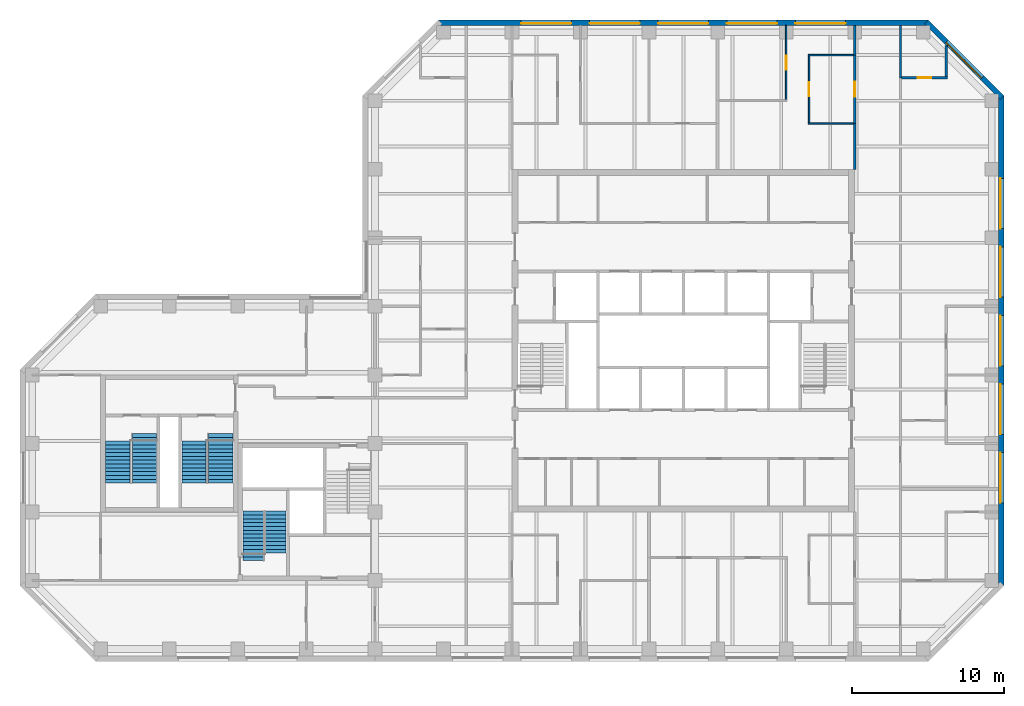
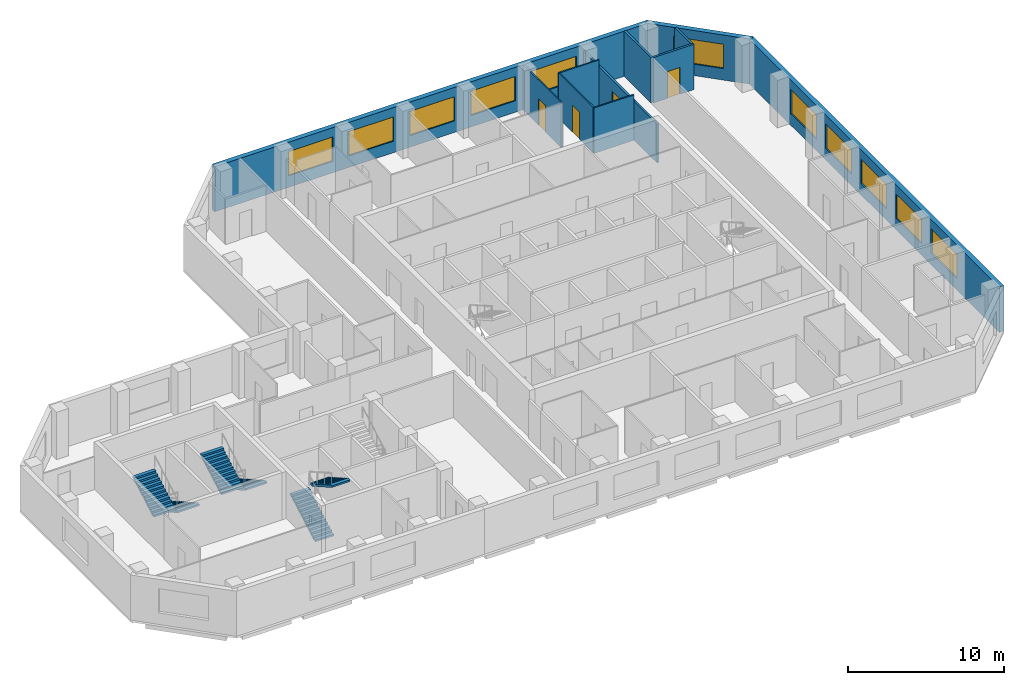
# One storey, part 8 of 10: 13 walls, 11 windows, 6 stair flights, 4 doors, 15 openings, 3 elements without a shape of their own.
"""IFC4 building model written with IfcOpenShell, lengths in metres."""

from ifc_helpers import new_model, si_unit, direction, frame, frame_2d, origin, place, context, subcontext, project, spatial, polyline, rectangle, outline, extrude, material, layer, layer_set, constituent, constituent_set, type_object, element, fill, aggregate, save


model = new_model("IFC4")

# Units and contexts
model_context = context("Model", 3, precision=1e-05, world=origin(), true_north=direction((0.0, 1.0)))
body_context = subcontext(model_context, "Body", "Model", "MODEL_VIEW")
ifc_project = project(units=[si_unit("LENGTHUNIT", "METRE"), si_unit("AREAUNIT", "SQUARE_METRE"), si_unit("VOLUMEUNIT", "CUBIC_METRE"), si_unit("PLANEANGLEUNIT", "RADIAN"), si_unit("MASSUNIT", "GRAM", prefix="KILO")], contexts=[model_context])

# Site, building, storey
site_placement = place(None, origin())
site = spatial("IfcSite", under=ifc_project, at=site_placement, CompositionType="ELEMENT")
building_placement = place(site_placement, origin())
building = spatial("IfcBuilding", under=site, at=building_placement, Name="Quoin Convention Tower", CompositionType="ELEMENT")
storey_placement = place(building_placement, frame((0.0, 0.0, 195.800048828125)))
storey = spatial("IfcBuildingStorey", under=building, at=storey_placement, Name="L51", CompositionType="ELEMENT", Elevation=195.800048828125)

# Wall, openings, windows
ifc_material_1 = material(Name="Brick masonry", Category="masonry")
ifc_layer_1 = layer(ifc_material_1, 0.35009765625)
ifc_layer_set_1 = layer_set([ifc_layer_1], Name="Brick masonry")
wall_type_1 = type_object("IfcWallType", Name="Brick facade wall", PredefinedType="STANDARD", material=ifc_layer_set_1)
wall_1_placement = place(storey_placement, frame((77.125, 44.668701171875, 0.0), z_axis=(0.0, 0.0, 1.0), x_axis=(0.0, 1.0, 0.0)))
wall_1 = element("IfcWall", 1, at=wall_1_placement, inside=storey, type_object=wall_type_1, Name="fw-L51-76500_45000", PredefinedType="STANDARD", context=body_context, shape_type="SweptSolid", body=[
    extrude(rectangle(XDim=32.16259765625, YDim=0.35009765625, at=frame_2d((16.081298828125, 0.0))), origin(), (0.0, 0.0, 1.0), 3.52490234375),
])
opening_1_placement = place(wall_1_placement, frame((5.431396484375, 0.0, 0.89990234375)))
opening_1 = element("IfcOpeningElement", 2, at=opening_1_placement, cuts=wall_1, Name="Opening W-02", PredefinedType="OPENING", context=body_context, shape_type="SweptSolid", body=[
    extrude(rectangle(XDim=3.300048828125, YDim=1.89990234375, at=frame_2d((1.64990234375, 0.949951171875))), frame((0.0, 0.18505859375, 0.0), z_axis=(0.0, -1.0, 0.0), x_axis=(1.0, 0.0, 0.0)), (0.0, 0.0, 1.0), 0.3701171875),
])
opening_2_placement = place(wall_1_placement, frame((9.931396484375, 0.0, 0.89990234375)))
opening_2 = element("IfcOpeningElement", 3, at=opening_2_placement, cuts=wall_1, Name="Opening W-02", PredefinedType="OPENING", context=body_context, shape_type="SweptSolid", body=[
    extrude(rectangle(XDim=3.300048828125, YDim=1.89990234375, at=frame_2d((1.64990234375, 0.949951171875))), frame((0.0, 0.18505859375, 0.0), z_axis=(0.0, -1.0, 0.0), x_axis=(1.0, 0.0, 0.0)), (0.0, 0.0, 1.0), 0.3701171875),
])
opening_3_placement = place(wall_1_placement, frame((14.431396484375, 0.0, 0.89990234375)))
opening_3 = element("IfcOpeningElement", 4, at=opening_3_placement, cuts=wall_1, Name="Opening W-02", PredefinedType="OPENING", context=body_context, shape_type="SweptSolid", body=[
    extrude(rectangle(XDim=3.300048828125, YDim=1.89990234375, at=frame_2d((1.64990234375, 0.949951171875))), frame((0.0, 0.18505859375, 0.0), z_axis=(0.0, -1.0, 0.0), x_axis=(1.0, 0.0, 0.0)), (0.0, 0.0, 1.0), 0.3701171875),
])
opening_4_placement = place(wall_1_placement, frame((18.931396484375, 0.0, 0.89990234375)))
opening_4 = element("IfcOpeningElement", 5, at=opening_4_placement, cuts=wall_1, Name="Opening W-02", PredefinedType="OPENING", context=body_context, shape_type="SweptSolid", body=[
    extrude(rectangle(XDim=3.300048828125, YDim=1.89990234375, at=frame_2d((1.64990234375, 0.949951171875))), frame((0.0, 0.18505859375, 0.0), z_axis=(0.0, -1.0, 0.0), x_axis=(1.0, 0.0, 0.0)), (0.0, 0.0, 1.0), 0.3701171875),
])
opening_5_placement = place(wall_1_placement, frame((23.431396484375, 0.0, 0.89990234375)))
opening_5 = element("IfcOpeningElement", 6, at=opening_5_placement, cuts=wall_1, Name="Opening W-02", PredefinedType="OPENING", context=body_context, shape_type="SweptSolid", body=[
    extrude(rectangle(XDim=3.300048828125, YDim=1.89990234375, at=frame_2d((1.64990234375, 0.949951171875))), frame((0.0, 0.18505859375, 0.0), z_axis=(0.0, -1.0, 0.0), x_axis=(1.0, 0.0, 0.0)), (0.0, 0.0, 1.0), 0.3701171875),
])
ifc_material_2 = material(Name="Aluminium", Category="aluminium")
ifc_constituent_1 = constituent(ifc_material_2, Name="Frame")
ifc_material_3 = material(Name="Insulated glass", Category="glass")
ifc_constituent_2 = constituent(ifc_material_3, Name="Glazing")
ifc_constituent_set = constituent_set(constituents=[ifc_constituent_1, ifc_constituent_2], Name="Aluminium")
window_type = type_object("IfcWindowType", Name="Office window", PartitioningType="DOUBLE_PANEL_VERTICAL", PredefinedType="WINDOW", material=ifc_constituent_set)
window_1_placement = place(opening_1_placement, origin())
window_1 = element("IfcWindow", 7, at=window_1_placement, inside=storey, type_object=window_type, Name="win-L51-77125_51750", OverallHeight=1.89990234375, OverallWidth=3.300048828125, PartitioningType="SINGLE_PANEL", PredefinedType="WINDOW", context=body_context, shape_type="SweptSolid", body=[
    extrude(rectangle(XDim=3.300048828125, YDim=1.89990234375, at=frame_2d((1.64990234375, 0.949951171875))), frame((0.0, 0.0849609375, 0.0), z_axis=(0.0, -1.0, 0.0), x_axis=(1.0, 0.0, 0.0)), (0.0, 0.0, 1.0), 0.06005859375),
])
fill(opening_1, window_1)
window_2_placement = place(opening_2_placement, origin())
window_2 = element("IfcWindow", 8, at=window_2_placement, inside=storey, type_object=window_type, Name="win-L51-77125_56250", OverallHeight=1.89990234375, OverallWidth=3.300048828125, PartitioningType="SINGLE_PANEL", PredefinedType="WINDOW", context=body_context, shape_type="SweptSolid", body=[
    extrude(rectangle(XDim=3.300048828125, YDim=1.89990234375, at=frame_2d((1.64990234375, 0.949951171875))), frame((0.0, 0.0849609375, 0.0), z_axis=(0.0, -1.0, 0.0), x_axis=(1.0, 0.0, 0.0)), (0.0, 0.0, 1.0), 0.06005859375),
])
fill(opening_2, window_2)
window_3_placement = place(opening_3_placement, origin())
window_3 = element("IfcWindow", 9, at=window_3_placement, inside=storey, type_object=window_type, Name="win-L51-77125_60750", OverallHeight=1.89990234375, OverallWidth=3.300048828125, PartitioningType="SINGLE_PANEL", PredefinedType="WINDOW", context=body_context, shape_type="SweptSolid", body=[
    extrude(rectangle(XDim=3.300048828125, YDim=1.89990234375, at=frame_2d((1.64990234375, 0.949951171875))), frame((0.0, 0.0849609375, 0.0), z_axis=(0.0, -1.0, 0.0), x_axis=(1.0, 0.0, 0.0)), (0.0, 0.0, 1.0), 0.06005859375),
])
fill(opening_3, window_3)
window_4_placement = place(opening_4_placement, origin())
window_4 = element("IfcWindow", 10, at=window_4_placement, inside=storey, type_object=window_type, Name="win-L51-77125_65250", OverallHeight=1.89990234375, OverallWidth=3.300048828125, PartitioningType="SINGLE_PANEL", PredefinedType="WINDOW", context=body_context, shape_type="SweptSolid", body=[
    extrude(rectangle(XDim=3.300048828125, YDim=1.89990234375, at=frame_2d((1.64990234375, 0.949951171875))), frame((0.0, 0.0849609375, 0.0), z_axis=(0.0, -1.0, 0.0), x_axis=(1.0, 0.0, 0.0)), (0.0, 0.0, 1.0), 0.06005859375),
])
fill(opening_4, window_4)
window_5_placement = place(opening_5_placement, origin())
window_5 = element("IfcWindow", 11, at=window_5_placement, inside=storey, type_object=window_type, Name="win-L51-77125_69750", OverallHeight=1.89990234375, OverallWidth=3.300048828125, PartitioningType="SINGLE_PANEL", PredefinedType="WINDOW", context=body_context, shape_type="SweptSolid", body=[
    extrude(rectangle(XDim=3.300048828125, YDim=1.89990234375, at=frame_2d((1.64990234375, 0.949951171875))), frame((0.0, 0.0849609375, 0.0), z_axis=(0.0, -1.0, 0.0), x_axis=(1.0, 0.0, 0.0)), (0.0, 0.0, 1.0), 0.06005859375),
])
fill(opening_5, window_5)

# Wall, opening, window
wall_2_placement = place(storey_placement, frame((77.17626953125, 76.70751953125, 0.0), z_axis=(0.0, 0.0, 1.0), x_axis=(-0.707106781187, 0.707106781187, 0.0)))
wall_2 = element("IfcWall", 12, at=wall_2_placement, inside=storey, type_object=wall_type_1, Name="fw-L51-76500_76500", PredefinedType="STANDARD", context=body_context, shape_type="SweptSolid", body=[
    extrude(rectangle(XDim=7.02685546875, YDim=0.35009765625, at=frame_2d((3.513427734375, 0.0))), origin(), (0.0, 0.0, 1.0), 3.52490234375),
])
opening_6_placement = place(wall_2_placement, frame((1.86328125, 0.0, 0.89990234375)))
opening_6 = element("IfcOpeningElement", 13, at=opening_6_placement, cuts=wall_2, Name="Opening W-02", PredefinedType="OPENING", context=body_context, shape_type="SweptSolid", body=[
    extrude(rectangle(XDim=3.300048828125, YDim=1.89990234375, at=frame_2d((1.64990234375, 0.949951171875))), frame((0.0, 0.18505859375, 0.0), z_axis=(0.0, -1.0, 0.0), x_axis=(1.0, 0.0, 0.0)), (0.0, 0.0, 1.0), 0.3701171875),
])
window_6_placement = place(opening_6_placement, origin())
window_6 = element("IfcWindow", 14, at=window_6_placement, inside=storey, type_object=window_type, Name="win-L51-74692_79192", OverallHeight=1.89990234375, OverallWidth=3.300048828125, PartitioningType="SINGLE_PANEL", PredefinedType="WINDOW", context=body_context, shape_type="SweptSolid", body=[
    extrude(rectangle(XDim=3.300048828125, YDim=1.89990234375, at=frame_2d((1.64990234375, 0.949951171875))), frame((0.0, 0.0849609375, 0.0), z_axis=(0.0, -1.0, 0.0), x_axis=(1.0, 0.0, 0.0)), (0.0, 0.0, 1.0), 0.06005859375),
])
fill(opening_6, window_6)

# Wall, openings, windows
wall_3_placement = place(storey_placement, frame((72.331298828125, 81.625, 0.0), z_axis=(0.0, 0.0, 1.0), x_axis=(-1.0, 0.0, 0.0)))
wall_3 = element("IfcWall", 15, at=wall_3_placement, inside=storey, type_object=wall_type_1, Name="fw-L51-72000_81000", PredefinedType="STANDARD", context=body_context, shape_type="SweptSolid", body=[
    extrude(rectangle(XDim=32.16259765625, YDim=0.35009765625, at=frame_2d((16.081298828125, 0.0))), origin(), (0.0, 0.0, 1.0), 3.52490234375),
])
opening_7_placement = place(wall_3_placement, frame((5.431396484375, 0.0, 0.89990234375)))
opening_7 = element("IfcOpeningElement", 16, at=opening_7_placement, cuts=wall_3, Name="Opening W-02", PredefinedType="OPENING", context=body_context, shape_type="SweptSolid", body=[
    extrude(rectangle(XDim=3.300048828125, YDim=1.89990234375, at=frame_2d((1.64990234375, 0.949951171875))), frame((0.0, 0.18505859375, 0.0), z_axis=(0.0, -1.0, 0.0), x_axis=(1.0, 0.0, 0.0)), (0.0, 0.0, 1.0), 0.3701171875),
])
opening_8_placement = place(wall_3_placement, frame((9.931396484375, 0.0, 0.89990234375)))
opening_8 = element("IfcOpeningElement", 17, at=opening_8_placement, cuts=wall_3, Name="Opening W-02", PredefinedType="OPENING", context=body_context, shape_type="SweptSolid", body=[
    extrude(rectangle(XDim=3.300048828125, YDim=1.89990234375, at=frame_2d((1.64990234375, 0.949951171875))), frame((0.0, 0.18505859375, 0.0), z_axis=(0.0, -1.0, 0.0), x_axis=(1.0, 0.0, 0.0)), (0.0, 0.0, 1.0), 0.3701171875),
])
opening_9_placement = place(wall_3_placement, frame((14.431396484375, 0.0, 0.89990234375)))
opening_9 = element("IfcOpeningElement", 18, at=opening_9_placement, cuts=wall_3, Name="Opening W-02", PredefinedType="OPENING", context=body_context, shape_type="SweptSolid", body=[
    extrude(rectangle(XDim=3.300048828125, YDim=1.89990234375, at=frame_2d((1.64990234375, 0.949951171875))), frame((0.0, 0.18505859375, 0.0), z_axis=(0.0, -1.0, 0.0), x_axis=(1.0, 0.0, 0.0)), (0.0, 0.0, 1.0), 0.3701171875),
])
opening_10_placement = place(wall_3_placement, frame((18.931396484375, 0.0, 0.89990234375)))
opening_10 = element("IfcOpeningElement", 19, at=opening_10_placement, cuts=wall_3, Name="Opening W-02", PredefinedType="OPENING", context=body_context, shape_type="SweptSolid", body=[
    extrude(rectangle(XDim=3.300048828125, YDim=1.89990234375, at=frame_2d((1.64990234375, 0.949951171875))), frame((0.0, 0.18505859375, 0.0), z_axis=(0.0, -1.0, 0.0), x_axis=(1.0, 0.0, 0.0)), (0.0, 0.0, 1.0), 0.3701171875),
])
opening_11_placement = place(wall_3_placement, frame((23.431396484375, 0.0, 0.89990234375)))
opening_11 = element("IfcOpeningElement", 20, at=opening_11_placement, cuts=wall_3, Name="Opening W-02", PredefinedType="OPENING", context=body_context, shape_type="SweptSolid", body=[
    extrude(rectangle(XDim=3.300048828125, YDim=1.89990234375, at=frame_2d((1.64990234375, 0.949951171875))), frame((0.0, 0.18505859375, 0.0), z_axis=(0.0, -1.0, 0.0), x_axis=(1.0, 0.0, 0.0)), (0.0, 0.0, 1.0), 0.3701171875),
])
window_7_placement = place(opening_7_placement, origin())
window_7 = element("IfcWindow", 21, at=window_7_placement, inside=storey, type_object=window_type, Name="win-L51-65250_81625", OverallHeight=1.89990234375, OverallWidth=3.300048828125, PartitioningType="SINGLE_PANEL", PredefinedType="WINDOW", context=body_context, shape_type="SweptSolid", body=[
    extrude(rectangle(XDim=3.300048828125, YDim=1.89990234375, at=frame_2d((1.64990234375, 0.949951171875))), frame((0.0, 0.0849609375, 0.0), z_axis=(0.0, -1.0, 0.0), x_axis=(1.0, 0.0, 0.0)), (0.0, 0.0, 1.0), 0.06005859375),
])
fill(opening_7, window_7)
window_8_placement = place(opening_8_placement, origin())
window_8 = element("IfcWindow", 22, at=window_8_placement, inside=storey, type_object=window_type, Name="win-L51-60750_81625", OverallHeight=1.89990234375, OverallWidth=3.300048828125, PartitioningType="SINGLE_PANEL", PredefinedType="WINDOW", context=body_context, shape_type="SweptSolid", body=[
    extrude(rectangle(XDim=3.300048828125, YDim=1.89990234375, at=frame_2d((1.64990234375, 0.949951171875))), frame((0.0, 0.0849609375, 0.0), z_axis=(0.0, -1.0, 0.0), x_axis=(1.0, 0.0, 0.0)), (0.0, 0.0, 1.0), 0.06005859375),
])
fill(opening_8, window_8)
window_9_placement = place(opening_9_placement, origin())
window_9 = element("IfcWindow", 23, at=window_9_placement, inside=storey, type_object=window_type, Name="win-L51-56250_81625", OverallHeight=1.89990234375, OverallWidth=3.300048828125, PartitioningType="SINGLE_PANEL", PredefinedType="WINDOW", context=body_context, shape_type="SweptSolid", body=[
    extrude(rectangle(XDim=3.300048828125, YDim=1.89990234375, at=frame_2d((1.64990234375, 0.949951171875))), frame((0.0, 0.0849609375, 0.0), z_axis=(0.0, -1.0, 0.0), x_axis=(1.0, 0.0, 0.0)), (0.0, 0.0, 1.0), 0.06005859375),
])
fill(opening_9, window_9)
window_10_placement = place(opening_10_placement, origin())
window_10 = element("IfcWindow", 24, at=window_10_placement, inside=storey, type_object=window_type, Name="win-L51-51750_81625", OverallHeight=1.89990234375, OverallWidth=3.300048828125, PartitioningType="SINGLE_PANEL", PredefinedType="WINDOW", context=body_context, shape_type="SweptSolid", body=[
    extrude(rectangle(XDim=3.300048828125, YDim=1.89990234375, at=frame_2d((1.64990234375, 0.949951171875))), frame((0.0, 0.0849609375, 0.0), z_axis=(0.0, -1.0, 0.0), x_axis=(1.0, 0.0, 0.0)), (0.0, 0.0, 1.0), 0.06005859375),
])
fill(opening_10, window_10)
window_11_placement = place(opening_11_placement, origin())
window_11 = element("IfcWindow", 25, at=window_11_placement, inside=storey, type_object=window_type, Name="win-L51-47250_81625", OverallHeight=1.89990234375, OverallWidth=3.300048828125, PartitioningType="SINGLE_PANEL", PredefinedType="WINDOW", context=body_context, shape_type="SweptSolid", body=[
    extrude(rectangle(XDim=3.300048828125, YDim=1.89990234375, at=frame_2d((1.64990234375, 0.949951171875))), frame((0.0, 0.0849609375, 0.0), z_axis=(0.0, -1.0, 0.0), x_axis=(1.0, 0.0, 0.0)), (0.0, 0.0, 1.0), 0.06005859375),
])
fill(opening_11, window_11)

# Walls
ifc_material_4 = material(Name="Plasterboard")
ifc_layer_2 = layer(ifc_material_4, 0.012451171875, Name="Finish")
ifc_material_5 = material(Name="Steel stud framing", Category="steel")
ifc_layer_3 = layer(ifc_material_5, 0.125, Name="Structure")
ifc_layer_4 = layer(ifc_material_4, 0.012451171875, Name="Finish")
ifc_layer_set_2 = layer_set([ifc_layer_2, ifc_layer_3, ifc_layer_4], Name="Steel stud framing")
wall_type_2 = type_object("IfcWallType", Name="Corridor wall 150", PredefinedType="PARTITIONING", material=ifc_layer_set_2)
wall_4_placement = place(storey_placement, frame((70.5, 78.0, 0.0), z_axis=(0.0, 0.0, 1.0), x_axis=(0.0, 1.0, 0.0)))
element("IfcWall", 26, at=wall_4_placement, inside=storey, type_object=wall_type_2, Name="pw-L51-090", PredefinedType="PARTITIONING", context=body_context, shape_type="SweptSolid", body=[
    extrude(rectangle(XDim=3.449951171875, YDim=0.14990234375, at=frame_2d((1.72509765625, 0.0))), origin(), (0.0, 0.0, 1.0), 3.550048828125),
])
ifc_layer_5 = layer(ifc_material_4, 0.012451171875, Name="Finish")
ifc_layer_6 = layer(ifc_material_5, 0.125, Name="Structure")
ifc_layer_7 = layer(ifc_material_4, 0.012451171875, Name="Finish")
ifc_layer_set_3 = layer_set([ifc_layer_5, ifc_layer_6, ifc_layer_7], Name="Steel stud framing")
wall_type_3 = type_object("IfcWallType", Name="Corridor wall 150 under beam 528", PredefinedType="PARTITIONING", material=ifc_layer_set_3)
wall_5_placement = place(storey_placement, frame((67.5, 72.0, 0.0), z_axis=(0.0, 0.0, 1.0), x_axis=(0.0, 1.0, 0.0)))
element("IfcWall", 27, at=wall_5_placement, inside=storey, type_object=wall_type_3, Name="pw-L51-079", PredefinedType="PARTITIONING", context=body_context, shape_type="SweptSolid", body=[
    extrude(rectangle(XDim=3.0, YDim=0.14990234375, at=frame_2d((1.5, 0.0))), origin(), (0.0, 0.0, 1.0), 3.02197265625),
])

# Wall, opening, door
wall_6_placement = place(storey_placement, frame((67.5, 75.0, 0.0), z_axis=(0.0, 0.0, 1.0), x_axis=(0.0, 1.0, 0.0)))
wall_6 = element("IfcWall", 28, at=wall_6_placement, inside=storey, type_object=wall_type_3, Name="pw-L51-082", PredefinedType="PARTITIONING", context=body_context, shape_type="SweptSolid", body=[
    extrude(rectangle(XDim=4.5, YDim=0.14990234375, at=frame_2d((2.25, 0.0))), origin(), (0.0, 0.0, 1.0), 3.02197265625),
])
opening_12_placement = place(wall_6_placement, frame((1.75, 0.0, 0.0)))
opening_12 = element("IfcOpeningElement", 29, at=opening_12_placement, cuts=wall_6, Name="Opening DOH7-25", PredefinedType="OPENING", context=body_context, shape_type="SweptSolid", body=[
    extrude(rectangle(XDim=1.0, YDim=2.10009765625, at=frame_2d((0.5, 1.050048828125))), frame((0.0, 0.0849609375, 0.0), z_axis=(0.0, -1.0, 0.0), x_axis=(1.0, 0.0, 0.0)), (0.0, 0.0, 1.0), 0.169921875),
])
ifc_material_6 = material(Name="Steel door leaf", Category="steel")
door_type_1 = type_object("IfcDoorType", Name="Tenancy entrance door 1000 x 2100", OperationType="DOUBLE_DOOR_SINGLE_SWING", PredefinedType="DOOR", material=ifc_material_6)
door_1_placement = place(opening_12_placement, origin())
door_1 = element("IfcDoor", 30, at=door_1_placement, inside=storey, type_object=door_type_1, Name="dr-L51-23", OperationType="DOUBLE_DOOR_SINGLE_SWING", OverallHeight=2.10009765625, OverallWidth=1.0, PredefinedType="DOOR", context=body_context, shape_type="SweptSolid", body=[
    extrude(rectangle(XDim=1.0, YDim=2.10009765625, at=frame_2d((0.5, 1.050048828125))), frame((0.0, 0.02490234375, 0.0), z_axis=(0.0, -1.0, 0.0), x_axis=(1.0, 0.0, 0.0)), (0.0, 0.0, 1.0), 0.050048828125),
])
fill(opening_12, door_1)

# Walls
wall_7_placement = place(storey_placement, frame((67.5, 79.5, 0.0), z_axis=(0.0, 0.0, 1.0), x_axis=(0.0, 1.0, 0.0)))
element("IfcWall", 31, at=wall_7_placement, inside=storey, type_object=wall_type_3, Name="pw-L51-094", PredefinedType="PARTITIONING", context=body_context, shape_type="SweptSolid", body=[
    extrude(rectangle(XDim=1.949951171875, YDim=0.14990234375, at=frame_2d((0.97509765625, 0.0))), origin(), (0.0, 0.0, 1.0), 3.02197265625),
])
ifc_layer_8 = layer(ifc_material_4, 0.012451171875, Name="Finish")
ifc_layer_9 = layer(ifc_material_5, 0.074951171875, Name="Structure")
ifc_layer_10 = layer(ifc_material_4, 0.012451171875, Name="Finish")
ifc_layer_set_4 = layer_set([ifc_layer_8, ifc_layer_9, ifc_layer_10], Name="Steel stud framing")
wall_type_4 = type_object("IfcWallType", Name="Stud partition 100", PredefinedType="PARTITIONING", material=ifc_layer_set_4)
for number, where, z_axis, x_axis, name in (
    (32, (64.449951171875, 75.0, 0.0), (0.0, 0.0, 1.0), (1.0, 0.0, 0.0), "pw-L51-032"),
    (33, (64.449951171875, 79.5, 0.0), (0.0, 0.0, 1.0), (1.0, 0.0, 0.0), "pw-L51-037"),
):
    element("IfcWall", number, at=place(storey_placement, frame(where, z_axis=z_axis, x_axis=x_axis)), inside=storey, type_object=wall_type_4, Name=name, PredefinedType="PARTITIONING", context=body_context, shape_type="SweptSolid", body=[
        extrude(rectangle(XDim=2.97509765625, YDim=0.10009765625, at=frame_2d((1.487548828125, 0.0))), origin(), (0.0, 0.0, 1.0), 3.550048828125),
    ])

# Wall, opening, door
wall_8_placement = place(storey_placement, frame((64.5, 75.050048828125, 0.0), z_axis=(0.0, 0.0, 1.0), x_axis=(0.0, 1.0, 0.0)))
wall_8 = element("IfcWall", 34, at=wall_8_placement, inside=storey, type_object=wall_type_4, Name="pw-L51-085", PredefinedType="PARTITIONING", context=body_context, shape_type="SweptSolid", body=[
    extrude(rectangle(XDim=4.39990234375, YDim=0.10009765625, at=frame_2d((2.199951171875, 0.0))), origin(), (0.0, 0.0, 1.0), 3.550048828125),
])
opening_13_placement = place(wall_8_placement, frame((1.75, 0.0, 0.0)))
opening_13 = element("IfcOpeningElement", 35, at=opening_13_placement, cuts=wall_8, Name="Opening DOH7-28", PredefinedType="OPENING", context=body_context, shape_type="SweptSolid", body=[
    extrude(rectangle(XDim=0.89990234375, YDim=2.10009765625, at=frame_2d((0.449951171875, 1.050048828125))), frame((0.0, 0.06005859375, 0.0), z_axis=(0.0, -1.0, 0.0), x_axis=(1.0, 0.0, 0.0)), (0.0, 0.0, 1.0), 0.1201171875),
])
door_type_2 = type_object("IfcDoorType", Name="Office door 900 x 2100", OperationType="SINGLE_SWING_RIGHT", PredefinedType="DOOR", material=ifc_material_6)
door_2_placement = place(opening_13_placement, origin())
door_2 = element("IfcDoor", 36, at=door_2_placement, inside=storey, type_object=door_type_2, Name="dr-L51-24", OperationType="SINGLE_SWING_RIGHT", OverallHeight=2.10009765625, OverallWidth=0.89990234375, PredefinedType="DOOR", context=body_context, shape_type="SweptSolid", body=[
    extrude(rectangle(XDim=0.89990234375, YDim=2.10009765625, at=frame_2d((0.449951171875, 1.050048828125))), frame((0.0, 0.02490234375, 0.0), z_axis=(0.0, -1.0, 0.0), x_axis=(1.0, 0.0, 0.0)), (0.0, 0.0, 1.0), 0.050048828125),
])
fill(opening_13, door_2)

wall_9_placement = place(storey_placement, frame((63.0, 76.550048828125, 0.0), z_axis=(0.0, 0.0, 1.0), x_axis=(0.0, 1.0, 0.0)))
wall_9 = element("IfcWall", 37, at=wall_9_placement, inside=storey, type_object=wall_type_4, Name="pw-L51-088", PredefinedType="PARTITIONING", context=body_context, shape_type="SweptSolid", body=[
    extrude(rectangle(XDim=4.89990234375, YDim=0.10009765625, at=frame_2d((2.449951171875, 0.0))), origin(), (0.0, 0.0, 1.0), 3.550048828125),
])
opening_14_placement = place(wall_9_placement, frame((2.0, 0.0, 0.0)))
opening_14 = element("IfcOpeningElement", 38, at=opening_14_placement, cuts=wall_9, Name="Opening DOH7-29", PredefinedType="OPENING", context=body_context, shape_type="SweptSolid", body=[
    extrude(rectangle(XDim=0.89990234375, YDim=2.10009765625, at=frame_2d((0.449951171875, 1.050048828125))), frame((0.0, 0.06005859375, 0.0), z_axis=(0.0, -1.0, 0.0), x_axis=(1.0, 0.0, 0.0)), (0.0, 0.0, 1.0), 0.1201171875),
])
door_3_placement = place(opening_14_placement, frame((0.89990234375, 0.0, 0.0), z_axis=(0.0, 0.0, 1.0), x_axis=(-1.0, 0.0, 0.0)))
door_3 = element("IfcDoor", 39, at=door_3_placement, inside=storey, type_object=door_type_2, Name="dr-L51-25", OperationType="SINGLE_SWING_LEFT", OverallHeight=2.10009765625, OverallWidth=0.89990234375, PredefinedType="DOOR", context=body_context, shape_type="SweptSolid", body=[
    extrude(rectangle(XDim=0.89990234375, YDim=2.10009765625, at=frame_2d((0.449951171875, 1.050048828125))), frame((0.0, 0.02490234375, 0.0), z_axis=(0.0, -1.0, 0.0), x_axis=(1.0, 0.0, 0.0)), (0.0, 0.0, 1.0), 0.050048828125),
])
fill(opening_14, door_3)

ifc_layer_11 = layer(ifc_material_4, 0.012451171875, Name="Finish")
ifc_layer_12 = layer(ifc_material_5, 0.125, Name="Structure")
ifc_layer_13 = layer(ifc_material_4, 0.012451171875, Name="Finish")
ifc_layer_set_5 = layer_set([ifc_layer_11, ifc_layer_12, ifc_layer_13], Name="Steel stud framing")
wall_type_5 = type_object("IfcWallType", Name="Wet area partition 150", PredefinedType="PARTITIONING", material=ifc_layer_set_5)
wall_10_placement = place(storey_placement, frame((70.574951171875, 78.0, 0.0), z_axis=(0.0, 0.0, 1.0), x_axis=(1.0, 0.0, 0.0)))
wall_10 = element("IfcWall", 40, at=wall_10_placement, inside=storey, type_object=wall_type_5, Name="pw-L51-035", PredefinedType="PARTITIONING", context=body_context, shape_type="SweptSolid", body=[
    extrude(rectangle(XDim=3.0, YDim=0.14990234375, at=frame_2d((1.5, 0.0))), origin(), (0.0, 0.0, 1.0), 3.550048828125),
])
opening_15_placement = place(wall_10_placement, frame((1.050048828125, 0.0, 0.0)))
opening_15 = element("IfcOpeningElement", 41, at=opening_15_placement, cuts=wall_10, Name="Opening DOH7-11", PredefinedType="OPENING", context=body_context, shape_type="SweptSolid", body=[
    extrude(rectangle(XDim=0.89990234375, YDim=2.10009765625, at=frame_2d((0.449951171875, 1.050048828125))), frame((0.0, 0.0849609375, 0.0), z_axis=(0.0, -1.0, 0.0), x_axis=(1.0, 0.0, 0.0)), (0.0, 0.0, 1.0), 0.169921875),
])
door_4_placement = place(opening_15_placement, frame((0.89990234375, 0.0, 0.0), z_axis=(0.0, 0.0, 1.0), x_axis=(-1.0, 0.0, 0.0)))
door_4 = element("IfcDoor", 42, at=door_4_placement, inside=storey, type_object=door_type_2, Name="dr-L51-33", OperationType="SINGLE_SWING_LEFT", OverallHeight=2.10009765625, OverallWidth=0.89990234375, PredefinedType="DOOR", context=body_context, shape_type="SweptSolid", body=[
    extrude(rectangle(XDim=0.89990234375, YDim=2.10009765625, at=frame_2d((0.449951171875, 1.050048828125))), frame((0.0, 0.02490234375, 0.0), z_axis=(0.0, -1.0, 0.0), x_axis=(1.0, 0.0, 0.0)), (0.0, 0.0, 1.0), 0.050048828125),
])
fill(opening_15, door_4)

# Wall
wall_11_placement = place(storey_placement, frame((73.5, 78.074951171875, 0.0), z_axis=(0.0, 0.0, 1.0), x_axis=(0.0, 1.0, 0.0)))
element("IfcWall", 43, at=wall_11_placement, inside=storey, type_object=wall_type_5, Name="pw-L51-092", PredefinedType="PARTITIONING", context=body_context, shape_type="SweptSolid", body=[
    extrude(rectangle(XDim=2.0615234375, YDim=0.14990234375, at=frame_2d((1.03076171875, 0.0))), origin(), (0.0, 0.0, 1.0), 3.550048828125),
])

# Stair, stair flights
ifc_material_7 = material(Name="Concrete C40", Category="concrete")
stair_type_1 = type_object("IfcStairType", Name="Exit stair two-flight 1350", PredefinedType="HALF_TURN_STAIR", material=ifc_material_7)
stair_1_placement = place(storey_placement, origin())
stair_1 = element("IfcStair", 44, at=stair_1_placement, inside=storey, type_object=stair_type_1, Name="SD3 L51", PredefinedType="HALF_TURN_STAIR")
stair_flight_type_1 = type_object("IfcStairFlightType", Name="Stair flight 1350", PredefinedType="STRAIGHT", material=ifc_material_7)
stair_flight_1_placement = place(storey_placement, frame((28.0, 46.300048828125, 0.0), z_axis=(0.0, 0.0, 1.0), x_axis=(0.0, 1.0, 0.0)))
stair_flight_1 = element("IfcStairFlight", 45, at=stair_flight_1_placement, type_object=stair_flight_type_1, Name="ST3 flight 1", NumberOfRisers=14, NumberOfTreads=13, PredefinedType="STRAIGHT", RiserHeight=0.142307692, TreadLength=0.25, context=body_context, shape_type="SweptSolid", body=[
    extrude(outline(polyline([(0.0, 0.0), (0.0, 0.142333984375), (0.25, 0.142333984375), (0.25, 0.28466796875), (0.5, 0.28466796875), (0.5, 0.427001953125), (0.75, 0.427001953125), (0.75, 0.5693359375), (1.0, 0.5693359375), (1.0, 0.71142578125), (1.25, 0.71142578125), (1.25, 0.853759765625), (1.5, 0.853759765625), (1.5, 0.99609375), (1.75, 0.99609375), (1.75, 1.138427734375), (2.0, 1.138427734375), (2.0, 1.28076171875), (2.25, 1.28076171875), (2.25, 1.423095703125), (2.5, 1.423095703125), (2.5, 1.5654296875), (2.75, 1.5654296875), (2.75, 1.707763671875), (3.0, 1.707763671875), (3.0, 1.85009765625), (3.25, 1.85009765625), (3.25, 1.9921875), (3.25, 1.711669921875), (0.242919921875, 0.0), (0.0, 0.0)])), frame((0.0, 0.675048828125, 0.0), z_axis=(0.0, -1.0, 0.0), x_axis=(1.0, 0.0, 0.0)), (0.0, 0.0, 1.0), 1.35009765625),
])
stair_flight_2_placement = place(storey_placement, frame((29.5, 49.550048828125, 1.9921875), z_axis=(0.0, 0.0, 1.0), x_axis=(0.0, -1.0, 0.0)))
stair_flight_2 = element("IfcStairFlight", 46, at=stair_flight_2_placement, type_object=stair_flight_type_1, Name="ST3 flight 2", NumberOfRisers=12, NumberOfTreads=11, PredefinedType="STRAIGHT", RiserHeight=0.142307692, TreadLength=0.25, context=body_context, shape_type="SweptSolid", body=[
    extrude(outline(polyline([(0.0, 0.0), (0.0, 0.142333984375), (0.25, 0.142333984375), (0.25, 0.28466796875), (0.5, 0.28466796875), (0.5, 0.427001953125), (0.75, 0.427001953125), (0.75, 0.5693359375), (1.0, 0.5693359375), (1.0, 0.71142578125), (1.25, 0.71142578125), (1.25, 0.853759765625), (1.5, 0.853759765625), (1.5, 0.99609375), (1.75, 0.99609375), (1.75, 1.138427734375), (2.0, 1.138427734375), (2.0, 1.28076171875), (2.25, 1.28076171875), (2.25, 1.423095703125), (2.5, 1.423095703125), (2.5, 1.5654296875), (2.75, 1.5654296875), (2.75, 1.707763671875), (2.75, 1.42724609375), (0.242919921875, 0.0), (0.0, 0.0)])), frame((0.0, 0.675048828125, 0.0), z_axis=(0.0, -1.0, 0.0), x_axis=(1.0, 0.0, 0.0)), (0.0, 0.0, 1.0), 1.35009765625),
])
aggregate(stair_1, [stair_flight_1, stair_flight_2])

stair_type_2 = type_object("IfcStairType", Name="Exit stair two-flight 1600", PredefinedType="HALF_TURN_STAIR", material=ifc_material_7)
stair_2_placement = place(storey_placement, origin())
stair_2 = element("IfcStair", 47, at=stair_2_placement, inside=storey, type_object=stair_type_2, Name="SD11 L51", PredefinedType="HALF_TURN_STAIR")
stair_flight_type_2 = type_object("IfcStairFlightType", Name="Stair flight 1600", PredefinedType="STRAIGHT", material=ifc_material_7)
stair_flight_3_placement = place(storey_placement, frame((20.875, 54.64990234375, 0.0), z_axis=(0.0, 0.0, 1.0), x_axis=(0.0, -1.0, 0.0)))
stair_flight_3 = element("IfcStairFlight", 48, at=stair_flight_3_placement, type_object=stair_flight_type_2, Name="ST11 flight 1", NumberOfRisers=14, NumberOfTreads=13, PredefinedType="STRAIGHT", RiserHeight=0.142307692, TreadLength=0.25, context=body_context, shape_type="SweptSolid", body=[
    extrude(outline(polyline([(0.0, 0.0), (0.0, 0.142333984375), (0.25, 0.142333984375), (0.25, 0.28466796875), (0.5, 0.28466796875), (0.5, 0.427001953125), (0.75, 0.427001953125), (0.75, 0.5693359375), (1.0, 0.5693359375), (1.0, 0.71142578125), (1.25, 0.71142578125), (1.25, 0.853759765625), (1.5, 0.853759765625), (1.5, 0.99609375), (1.75, 0.99609375), (1.75, 1.138427734375), (2.0, 1.138427734375), (2.0, 1.28076171875), (2.25, 1.28076171875), (2.25, 1.423095703125), (2.5, 1.423095703125), (2.5, 1.5654296875), (2.75, 1.5654296875), (2.75, 1.707763671875), (3.0, 1.707763671875), (3.0, 1.85009765625), (3.25, 1.85009765625), (3.25, 1.9921875), (3.25, 1.711669921875), (0.242919921875, 0.0), (0.0, 0.0)])), frame((0.0, 0.800048828125, 0.0), z_axis=(0.0, -1.0, 0.0), x_axis=(1.0, 0.0, 0.0)), (0.0, 0.0, 1.0), 1.60009765625),
])
stair_flight_4_placement = place(storey_placement, frame((19.125, 51.39990234375, 1.9921875), z_axis=(0.0, 0.0, 1.0), x_axis=(0.0, 1.0, 0.0)))
stair_flight_4 = element("IfcStairFlight", 49, at=stair_flight_4_placement, type_object=stair_flight_type_2, Name="ST11 flight 2", NumberOfRisers=12, NumberOfTreads=11, PredefinedType="STRAIGHT", RiserHeight=0.142307692, TreadLength=0.25, context=body_context, shape_type="SweptSolid", body=[
    extrude(outline(polyline([(0.0, 0.0), (0.0, 0.142333984375), (0.25, 0.142333984375), (0.25, 0.28466796875), (0.5, 0.28466796875), (0.5, 0.427001953125), (0.75, 0.427001953125), (0.75, 0.5693359375), (1.0, 0.5693359375), (1.0, 0.71142578125), (1.25, 0.71142578125), (1.25, 0.853759765625), (1.5, 0.853759765625), (1.5, 0.99609375), (1.75, 0.99609375), (1.75, 1.138427734375), (2.0, 1.138427734375), (2.0, 1.28076171875), (2.25, 1.28076171875), (2.25, 1.423095703125), (2.5, 1.423095703125), (2.5, 1.5654296875), (2.75, 1.5654296875), (2.75, 1.707763671875), (2.75, 1.42724609375), (0.242919921875, 0.0), (0.0, 0.0)])), frame((0.0, 0.800048828125, 0.0), z_axis=(0.0, -1.0, 0.0), x_axis=(1.0, 0.0, 0.0)), (0.0, 0.0, 1.0), 1.60009765625),
])
aggregate(stair_2, [stair_flight_3, stair_flight_4])

stair_3_placement = place(storey_placement, origin())
stair_3 = element("IfcStair", 50, at=stair_3_placement, inside=storey, type_object=stair_type_2, Name="SD12 L51", PredefinedType="HALF_TURN_STAIR")
stair_flight_5_placement = place(storey_placement, frame((25.875, 54.64990234375, 0.0), z_axis=(0.0, 0.0, 1.0), x_axis=(0.0, -1.0, 0.0)))
stair_flight_5 = element("IfcStairFlight", 51, at=stair_flight_5_placement, type_object=stair_flight_type_2, Name="ST12 flight 1", NumberOfRisers=14, NumberOfTreads=13, PredefinedType="STRAIGHT", RiserHeight=0.142307692, TreadLength=0.25, context=body_context, shape_type="SweptSolid", body=[
    extrude(outline(polyline([(0.0, 0.0), (0.0, 0.142333984375), (0.25, 0.142333984375), (0.25, 0.28466796875), (0.5, 0.28466796875), (0.5, 0.427001953125), (0.75, 0.427001953125), (0.75, 0.5693359375), (1.0, 0.5693359375), (1.0, 0.71142578125), (1.25, 0.71142578125), (1.25, 0.853759765625), (1.5, 0.853759765625), (1.5, 0.99609375), (1.75, 0.99609375), (1.75, 1.138427734375), (2.0, 1.138427734375), (2.0, 1.28076171875), (2.25, 1.28076171875), (2.25, 1.423095703125), (2.5, 1.423095703125), (2.5, 1.5654296875), (2.75, 1.5654296875), (2.75, 1.707763671875), (3.0, 1.707763671875), (3.0, 1.85009765625), (3.25, 1.85009765625), (3.25, 1.9921875), (3.25, 1.711669921875), (0.242919921875, 0.0), (0.0, 0.0)])), frame((0.0, 0.800048828125, 0.0), z_axis=(0.0, -1.0, 0.0), x_axis=(1.0, 0.0, 0.0)), (0.0, 0.0, 1.0), 1.60009765625),
])
stair_flight_6_placement = place(storey_placement, frame((24.125, 51.39990234375, 1.9921875), z_axis=(0.0, 0.0, 1.0), x_axis=(0.0, 1.0, 0.0)))
stair_flight_6 = element("IfcStairFlight", 52, at=stair_flight_6_placement, type_object=stair_flight_type_2, Name="ST12 flight 2", NumberOfRisers=12, NumberOfTreads=11, PredefinedType="STRAIGHT", RiserHeight=0.142307692, TreadLength=0.25, context=body_context, shape_type="SweptSolid", body=[
    extrude(outline(polyline([(0.0, 0.0), (0.0, 0.142333984375), (0.25, 0.142333984375), (0.25, 0.28466796875), (0.5, 0.28466796875), (0.5, 0.427001953125), (0.75, 0.427001953125), (0.75, 0.5693359375), (1.0, 0.5693359375), (1.0, 0.71142578125), (1.25, 0.71142578125), (1.25, 0.853759765625), (1.5, 0.853759765625), (1.5, 0.99609375), (1.75, 0.99609375), (1.75, 1.138427734375), (2.0, 1.138427734375), (2.0, 1.28076171875), (2.25, 1.28076171875), (2.25, 1.423095703125), (2.5, 1.423095703125), (2.5, 1.5654296875), (2.75, 1.5654296875), (2.75, 1.707763671875), (2.75, 1.42724609375), (0.242919921875, 0.0), (0.0, 0.0)])), frame((0.0, 0.800048828125, 0.0), z_axis=(0.0, -1.0, 0.0), x_axis=(1.0, 0.0, 0.0)), (0.0, 0.0, 1.0), 1.60009765625),
])
aggregate(stair_3, [stair_flight_5, stair_flight_6])

save(model, "model.ifc")
